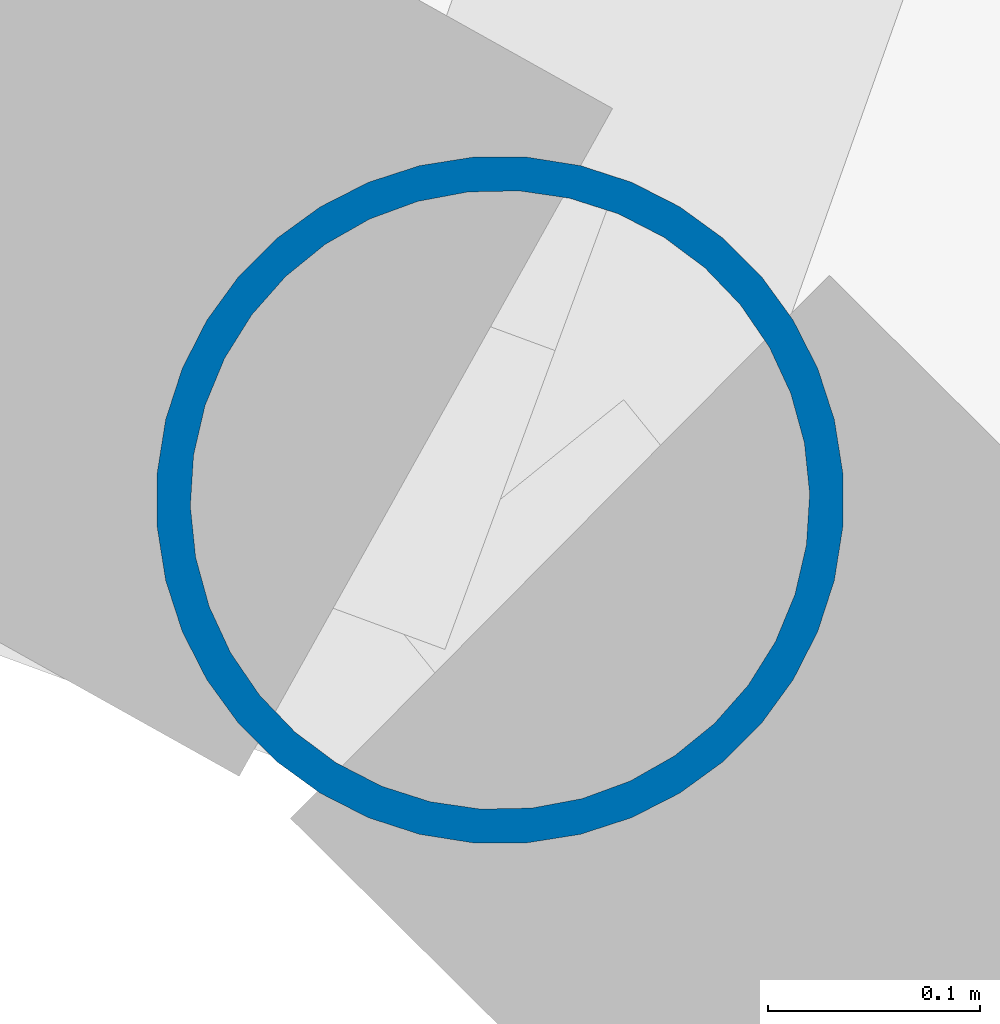
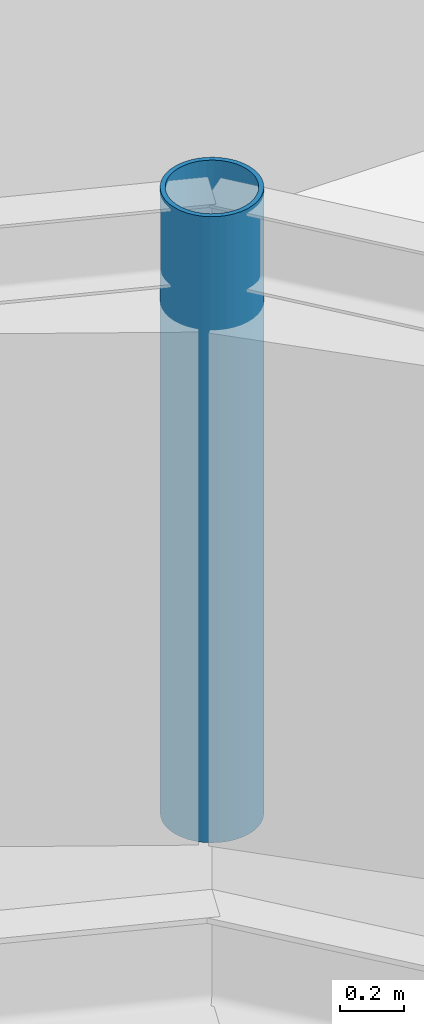
# One storey, part 24 of 123: 1 column.
"""IFC4 building model written with IfcOpenShell, lengths in metres."""

from ifc_helpers import new_model, si_unit, direction, frame, origin, origin_2d, place, context, subcontext, project, spatial, hollow_circle, extrude, material, material_profile, profile_set, type_object, element, save


model = new_model("IFC4")

# Units and contexts
model_context = context("Model", 3, precision=1e-05, world=origin(), true_north=direction((0.0, 1.0)))
body_context = subcontext(model_context, "Body", "Model", "MODEL_VIEW")
ifc_project = project(units=[si_unit("LENGTHUNIT", "METRE"), si_unit("AREAUNIT", "SQUARE_METRE"), si_unit("VOLUMEUNIT", "CUBIC_METRE"), si_unit("PLANEANGLEUNIT", "RADIAN"), si_unit("MASSUNIT", "GRAM", prefix="KILO")], contexts=[model_context])

# Site, building, storey
site_placement = place(None, origin())
site = spatial("IfcSite", under=ifc_project, at=site_placement, CompositionType="ELEMENT")
building_placement = place(site_placement, origin())
building = spatial("IfcBuilding", under=site, at=building_placement, Name="Kildeholm Park Wholesale Market", CompositionType="ELEMENT")
storey_placement = place(building_placement, frame((0.0, 0.0, 9.60009765625)))
storey = spatial("IfcBuildingStorey", under=building, at=storey_placement, Name="L02", CompositionType="ELEMENT", Elevation=9.60009765625)

# Column
ifc_material = material(Name="Steel S355", Category="steel")
ifc_material_profile = material_profile(ifc_material, hollow_circle(Radius=0.161865234375, WallThickness=0.01611328125, at=origin_2d()), Name="CHS 323.9x16")
ifc_profile_set = profile_set([ifc_material_profile], Name="Steel S355")
column_type = type_object("IfcColumnType", Name="Column C-S09 CHS 323.9x16", PredefinedType="COLUMN", material=ifc_profile_set)
column_placement = place(storey_placement, frame((193.166015625, 117.596923828125, 0.0), z_axis=(0.0, 0.0, 1.0), x_axis=(0.382683432365, 0.923879532511, 0.0)))
element("IfcColumn", 1, at=column_placement, inside=storey, type_object=column_type, Name="Column V2-IN-03 L02 COL-0234", PredefinedType="COLUMN", context=body_context, shape_type="SweptSolid", body=[
    extrude(hollow_circle(Radius=0.161865234375, WallThickness=0.01611328125, at=origin_2d()), origin(), (0.0, 0.0, 1.0), 2.3798828125),
])

save(model, "model.ifc")
